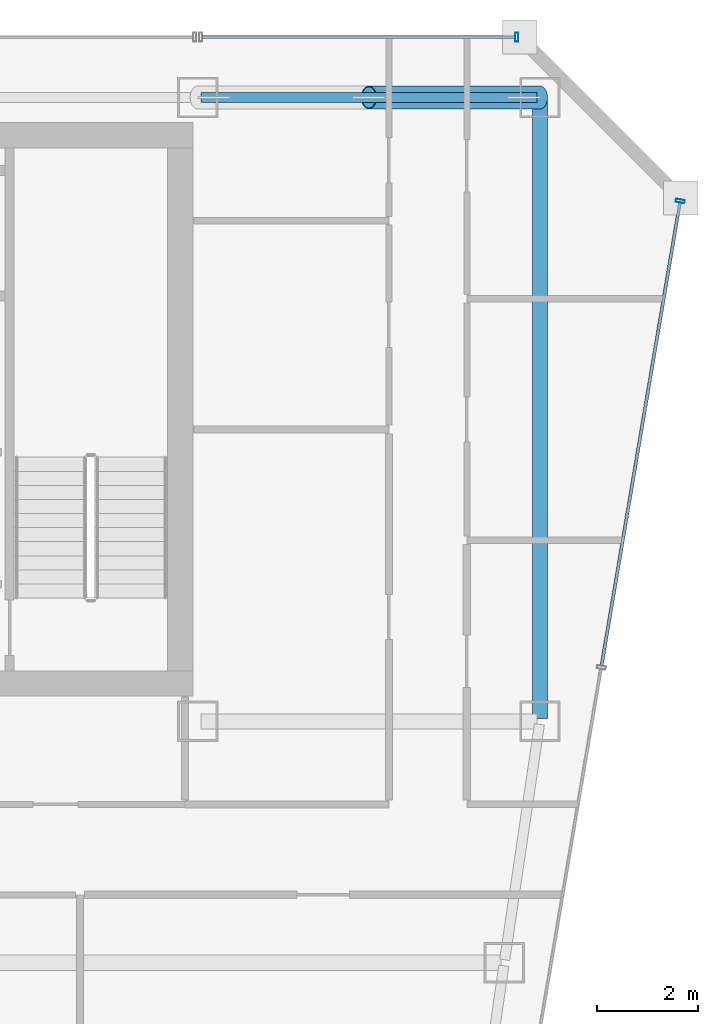
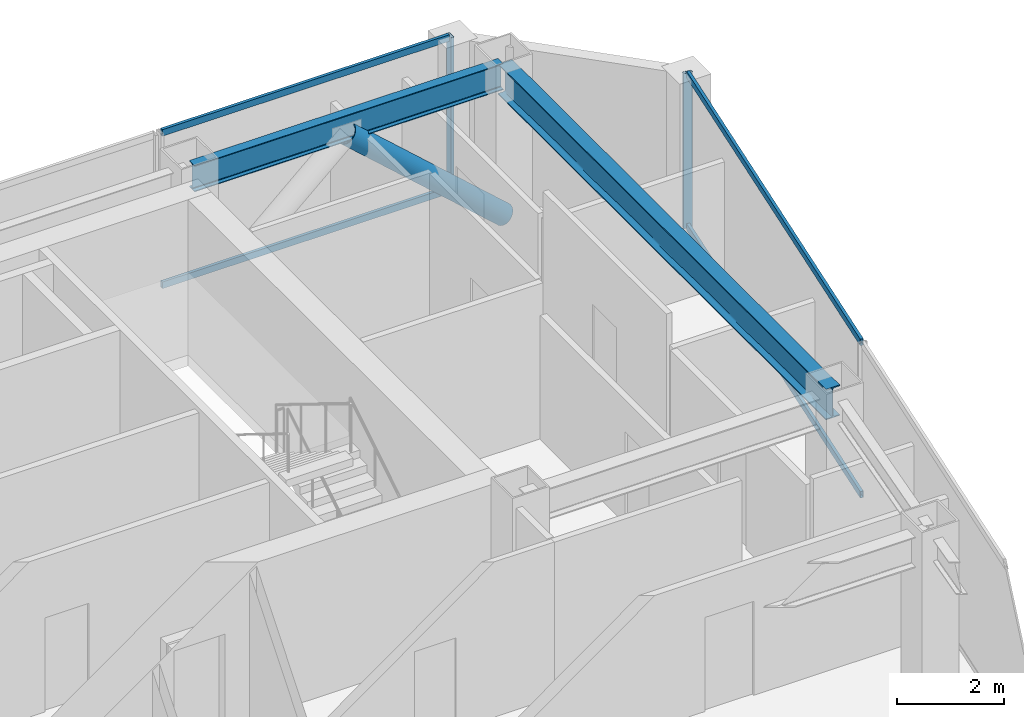
# One storey, part 27 of 35: 7 members, 2 beams, 2 elements without a shape of their own.
"""IFC4 building model written with IfcOpenShell, lengths in metres."""

from ifc_helpers import new_model, si_unit, direction, frame, origin, origin_2d, place, context, subcontext, project, spatial, hollow_rectangle, hollow_circle, i_section, extrude, material, material_profile, profile_set, type_object, element, aggregate, save


model = new_model("IFC4")

# Units and contexts
model_context = context("Model", 3, precision=1e-05, world=origin(), true_north=direction((0.0, 1.0)))
body_context = subcontext(model_context, "Body", "Model", "MODEL_VIEW")
ifc_project = project(units=[si_unit("LENGTHUNIT", "METRE"), si_unit("AREAUNIT", "SQUARE_METRE"), si_unit("VOLUMEUNIT", "CUBIC_METRE"), si_unit("PLANEANGLEUNIT", "RADIAN"), si_unit("MASSUNIT", "GRAM", prefix="KILO")], contexts=[model_context])

# Site, building, storey
site_placement = place(None, origin())
site = spatial("IfcSite", under=ifc_project, at=site_placement, CompositionType="ELEMENT")
building_placement = place(site_placement, origin())
building = spatial("IfcBuilding", under=site, at=building_placement, Name="Saevonmaru Cultural Tower", CompositionType="ELEMENT")
storey_placement = place(building_placement, frame((0.0, 0.0, 213.199951171875)))
storey = spatial("IfcBuildingStorey", under=building, at=storey_placement, Name="L49", CompositionType="ELEMENT", Elevation=213.199951171875)

# Beams
ifc_material_1 = material(Name="Steel SM355", Category="steel")
ifc_material_profile_1 = material_profile(ifc_material_1, i_section(OverallWidth=0.300048828125, OverallDepth=0.699951171875, WebThickness=0.012939453125, FlangeThickness=0.02392578125, FilletRadius=0.02587890625, at=origin_2d()), Name="H-700x300x13x24")
ifc_profile_set_1 = profile_set([ifc_material_profile_1], Name="Steel SM355")
beam_type_1 = type_object("IfcBeamType", Name="BM-G-H700", PredefinedType="BEAM", material=ifc_profile_set_1)
beam_1_placement = place(storey_placement, frame((53.199951171875, 54.739990234375, 3.199951171875), z_axis=(0.0, -1.0, 0.0), x_axis=(1.0, 0.0, 0.0)))
element("IfcBeam", 1, at=beam_1_placement, inside=storey, type_object=beam_type_1, Name="L49 Spine Transverse Girder E", PredefinedType="BEAM", context=body_context, shape_type="SweptSolid", body=[
    extrude(i_section(OverallWidth=0.300048828125, OverallDepth=0.699951171875, WebThickness=0.012939453125, FlangeThickness=0.02392578125, FilletRadius=0.02587890625, at=origin_2d()), origin(), (0.0, 0.0, 1.0), 12.280029296875),
])
ifc_material_profile_2 = material_profile(ifc_material_1, i_section(OverallWidth=0.199951171875, OverallDepth=0.60009765625, WebThickness=0.010986328125, FlangeThickness=0.01708984375, FilletRadius=0.02197265625, at=origin_2d()), Name="H-600x200x11x17")
ifc_profile_set_2 = profile_set([ifc_material_profile_2], Name="Steel SM355")
beam_type_2 = type_object("IfcBeamType", Name="BM-SP-H600", PredefinedType="SPANDREL", material=ifc_profile_set_2)
beam_2_placement = place(storey_placement, frame((46.4599609375, 54.800048828125, 3.25), z_axis=(1.0, 0.0, 0.0), x_axis=(0.0, 1.0, 0.0)))
element("IfcBeam", 2, at=beam_2_placement, inside=storey, type_object=beam_type_2, Name="L49 North Spine Girder 5", PredefinedType="SPANDREL", context=body_context, shape_type="SweptSolid", body=[
    extrude(i_section(OverallWidth=0.199951171875, OverallDepth=0.60009765625, WebThickness=0.010986328125, FlangeThickness=0.01708984375, FilletRadius=0.02197265625, at=origin_2d()), origin(), (0.0, 0.0, 1.0), 6.679931640625),
])

# Member
ifc_material_2 = material(Name="Steel SM420", Category="steel")
ifc_material_profile_3 = material_profile(ifc_material_2, hollow_circle(Radius=0.228515625, WallThickness=0.02001953125, at=origin_2d()), Name="CHS-457.2x20")
ifc_profile_set_3 = profile_set([ifc_material_profile_3], Name="Steel SM420")
member_type_1 = type_object("IfcMemberType", Name="MB-PBR-CHS457", PredefinedType="BRACE", material=ifc_profile_set_3)
member_1_placement = place(storey_placement, frame((53.199951171875, 54.800048828125, 0.02001953125), z_axis=(-0.744366945704, 0.0, 0.667770806597), x_axis=(0.0, -1.0, 0.0)))
element("IfcMember", 3, at=member_1_placement, inside=storey, type_object=member_type_1, Name="L49 Perimeter Braced-Tube Diagonal EN2", PredefinedType="BRACE", context=body_context, shape_type="SweptSolid", body=[
    extrude(hollow_circle(Radius=0.228515625, WallThickness=0.02001953125, at=origin_2d()), origin(), (0.0, 0.0, 1.0), 4.567626953125),
])

# Curtain wall, member
ifc_material_3 = material(Name="Satin Bronze Anodised Aluminium", Category="aluminium")
curtain_wall_type = type_object("IfcCurtainWallType", Name="CW-TYP-B", PredefinedType="NOTDEFINED", material=ifc_material_3)
curtain_wall_1_placement = place(storey_placement, origin())
curtain_wall_1 = element("IfcCurtainWall", 4, at=curtain_wall_1_placement, inside=storey, type_object=curtain_wall_type, Name="L49 Unitised Curtain Wall E8", PredefinedType="NOTDEFINED")
ifc_material_profile_4 = material_profile(ifc_material_3, hollow_rectangle(XDim=0.06494140625, YDim=0.179931640625, WallThickness=0.00390625, at=origin_2d()), Name="ALU-MULL-180x65x4")
ifc_profile_set_4 = profile_set([ifc_material_profile_4], Name="Satin Bronze Anodised Aluminium")
member_type_2 = type_object("IfcMemberType", Name="ML-CW-180x65", PredefinedType="MULLION", material=ifc_profile_set_4)
member_2_placement = place(storey_placement, frame((55.989990234375, 52.74072265625, 0.0), z_axis=(0.0, 0.0, 1.0), x_axis=(0.16692169721, 0.985970155228, 0.0)))
member_2 = element("IfcMember", 5, at=member_2_placement, type_object=member_type_2, Name="CW-TW-L49-E8 mullion 5", PredefinedType="MULLION", context=body_context, shape_type="SweptSolid", body=[
    extrude(hollow_rectangle(XDim=0.06494140625, YDim=0.179931640625, WallThickness=0.00390625, at=origin_2d()), origin(), (0.0, 0.0, 1.0), 3.550048828125),
])

curtain_wall_2_placement = place(storey_placement, origin())
curtain_wall_2 = element("IfcCurtainWall", 6, at=curtain_wall_2_placement, inside=storey, type_object=curtain_wall_type, Name="L49 East Braced Bay Spandrel Curtain Wall E10A", PredefinedType="NOTDEFINED")
member_3_placement = place(storey_placement, frame((52.739990234375, 56.0, 0.0), z_axis=(0.0, 0.0, 1.0), x_axis=(-1.0, 0.0, 0.0)))
member_3 = element("IfcMember", 7, at=member_3_placement, type_object=member_type_2, Name="CW-TW-L49-E10A mullion 1", PredefinedType="MULLION", context=body_context, shape_type="SweptSolid", body=[
    extrude(hollow_rectangle(XDim=0.06494140625, YDim=0.179931640625, WallThickness=0.00390625, at=origin_2d()), origin(), (0.0, 0.0, 1.0), 3.550048828125),
])

# Member
ifc_material_profile_5 = material_profile(ifc_material_3, hollow_rectangle(XDim=0.06494140625, YDim=0.14990234375, WallThickness=0.00390625, at=origin_2d()), Name="ALU-TRAN-150x65x4")
ifc_profile_set_5 = profile_set([ifc_material_profile_5], Name="Satin Bronze Anodised Aluminium")
member_type_3 = type_object("IfcMemberType", Name="TR-CW-150x65", PredefinedType="USERDEFINED", material=ifc_profile_set_5)
member_4_placement = place(storey_placement, frame((54.426025390625, 43.50244140625, 0.032470703125), z_axis=(0.166921263871, 0.985970228591, 0.0), x_axis=(-0.985970228591, 0.166921263871, 0.0)))
member_4 = element("IfcMember", 8, at=member_4_placement, type_object=member_type_3, Name="CW-TW-L49-E8 transom 4.1", ObjectType="TRANSOM", PredefinedType="USERDEFINED", context=body_context, shape_type="SweptSolid", body=[
    extrude(hollow_rectangle(XDim=0.06494140625, YDim=0.14990234375, WallThickness=0.00390625, at=origin_2d()), origin(), (0.0, 0.0, 1.0), 9.33740234375),
])

member_5_placement = place(storey_placement, frame((54.426025390625, 43.50244140625, 3.517578125), z_axis=(0.166921263871, 0.985970228591, 0.0), x_axis=(-0.985970228591, 0.166921263871, 0.0)))
member_5 = element("IfcMember", 9, at=member_5_placement, type_object=member_type_3, Name="CW-TW-L49-E8 transom 4.2", ObjectType="TRANSOM", PredefinedType="USERDEFINED", context=body_context, shape_type="SweptSolid", body=[
    extrude(hollow_rectangle(XDim=0.06494140625, YDim=0.14990234375, WallThickness=0.00390625, at=origin_2d()), origin(), (0.0, 0.0, 1.0), 9.33740234375),
])

aggregate(curtain_wall_1, [member_2, member_4, member_5])

member_6_placement = place(storey_placement, frame((52.70751953125, 56.0, 0.032470703125), z_axis=(-1.0, 0.0, 0.0), x_axis=(0.0, -1.0, 0.0)))
member_6 = element("IfcMember", 10, at=member_6_placement, type_object=member_type_3, Name="CW-TW-L49-E10A transom 1.1", ObjectType="TRANSOM", PredefinedType="USERDEFINED", context=body_context, shape_type="SweptSolid", body=[
    extrude(hollow_rectangle(XDim=0.06494140625, YDim=0.14990234375, WallThickness=0.00390625, at=origin_2d()), origin(), (0.0, 0.0, 1.0), 6.215087890625),
])

member_7_placement = place(storey_placement, frame((52.70751953125, 56.0, 3.517578125), z_axis=(-1.0, 0.0, 0.0), x_axis=(0.0, -1.0, 0.0)))
member_7 = element("IfcMember", 11, at=member_7_placement, type_object=member_type_3, Name="CW-TW-L49-E10A transom 1.2", ObjectType="TRANSOM", PredefinedType="USERDEFINED", context=body_context, shape_type="SweptSolid", body=[
    extrude(hollow_rectangle(XDim=0.06494140625, YDim=0.14990234375, WallThickness=0.00390625, at=origin_2d()), origin(), (0.0, 0.0, 1.0), 6.215087890625),
])

aggregate(curtain_wall_2, [member_3, member_6, member_7])

save(model, "model.ifc")
